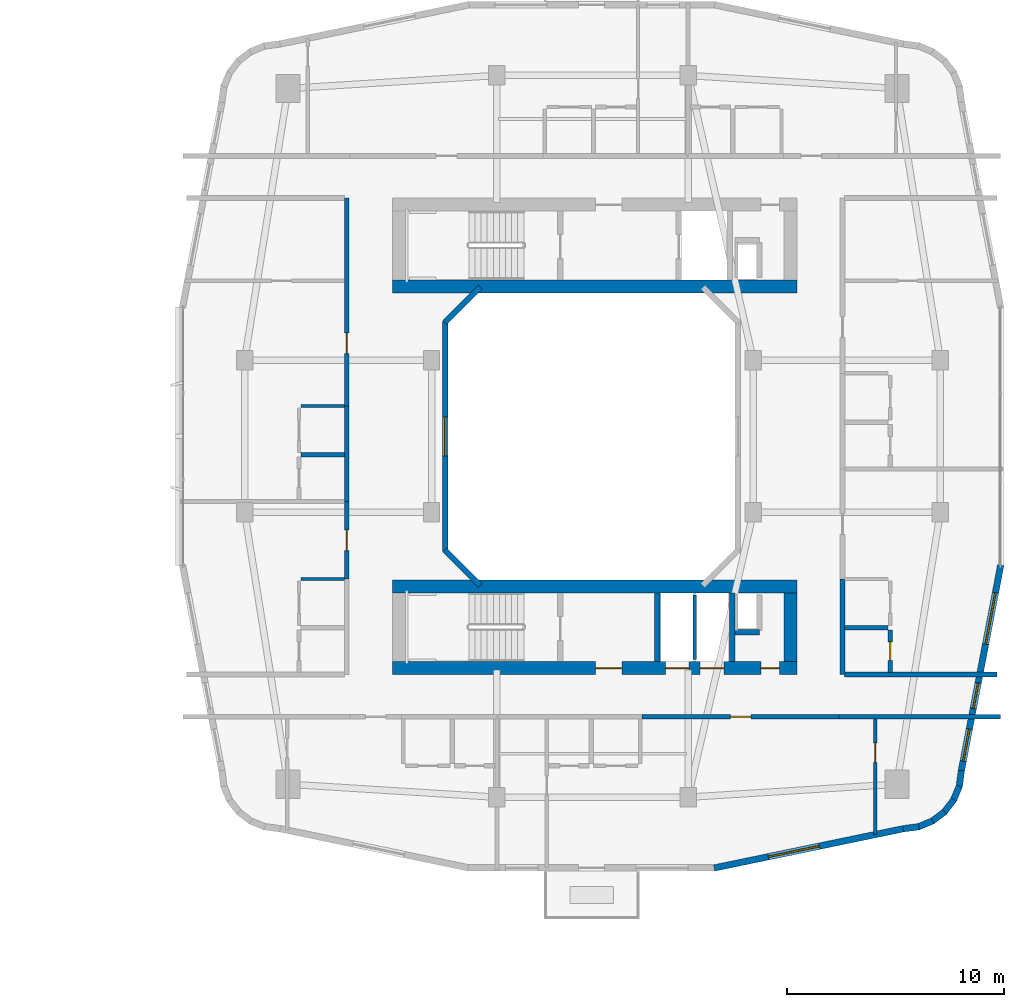
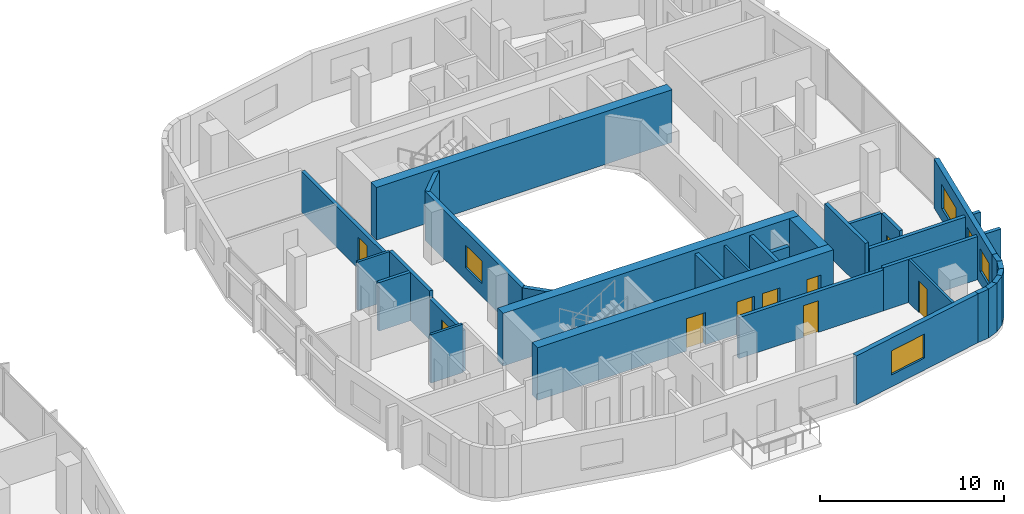
# One storey, part 14 of 22: 32 walls, 9 doors, 5 windows, 14 openings.
"""IFC4 building model written with IfcOpenShell, lengths in metres."""

from ifc_helpers import new_model, si_unit, derived_unit, direction, frame, frame_2d, origin, place, context, subcontext, project, spatial, rectangle, extrude, material, layer, layer_set, type_object, element, fill, save


model = new_model("IFC4")

# Units and contexts
model_context = context("Model", 3, precision=1e-05, world=origin(), true_north=direction((0.0, 1.0)))
body_context = subcontext(model_context, "Body", "Model", "MODEL_VIEW")
ifc_project = project(units=[si_unit("LENGTHUNIT", "METRE"), si_unit("AREAUNIT", "SQUARE_METRE"), si_unit("VOLUMEUNIT", "CUBIC_METRE"), si_unit("PLANEANGLEUNIT", "RADIAN"), si_unit("MASSUNIT", "GRAM", prefix="KILO"), derived_unit("THERMALTRANSMITTANCEUNIT", [(si_unit("POWERUNIT", "WATT"), 1), (si_unit("LENGTHUNIT", "METRE"), -2), (si_unit("THERMODYNAMICTEMPERATUREUNIT", "KELVIN"), -1)])], contexts=[model_context])

# Site, building, storey
site_placement = place(None, origin())
site = spatial("IfcSite", under=ifc_project, at=site_placement, CompositionType="ELEMENT")
building_placement = place(site_placement, origin())
building = spatial("IfcBuilding", under=site, at=building_placement, Name="Kivonza Crest Hotel", CompositionType="ELEMENT")
storey_placement = place(building_placement, frame((0.0, 0.0, 48.5)))
storey = spatial("IfcBuildingStorey", under=building, at=storey_placement, Name="L12", CompositionType="ELEMENT", Elevation=48.5)

# Wall
ifc_material_1 = material(Name="Autoclaved aerated concrete blockwork", Category="masonry")
ifc_layer_1 = layer(ifc_material_1, 0.219970703125)
ifc_layer_set_1 = layer_set([ifc_layer_1], Name="Autoclaved aerated concrete blockwork")
wall_type_1 = type_object("IfcWallType", Name="WL-ACOU-220", PredefinedType="SOLIDWALL", material=ifc_layer_set_1)
wall_1_placement = place(storey_placement, frame((88.35009765625, 12.10009765625, 0.0), z_axis=(0.0, 0.0, 1.0), x_axis=(1.0, 0.0, 0.0)))
element("IfcWall", 1, at=wall_1_placement, inside=storey, type_object=wall_type_1, Name="L12 interior partition WA-L12-A04-RCORR", PredefinedType="SOLIDWALL", context=body_context, shape_type="SweptSolid", body=[
    extrude(rectangle(XDim=7.409912109375, YDim=0.219970703125, at=frame_2d((3.705078125, 0.0))), origin(), (0.0, 0.0, 1.0), 2.864990234375),
])

# Wall, opening, door
wall_2_placement = place(storey_placement, frame((79.280029296875, 12.10009765625, 0.0), z_axis=(0.0, 0.0, 1.0), x_axis=(1.0, 0.0, 0.0)))
wall_2 = element("IfcWall", 2, at=wall_2_placement, inside=storey, type_object=wall_type_1, Name="L12 interior partition WA-L12-A04-MCORR", PredefinedType="SOLIDWALL", context=body_context, shape_type="SweptSolid", body=[
    extrude(rectangle(XDim=9.070068359375, YDim=0.219970703125, at=frame_2d((4.53515625, 0.0))), origin(), (0.0, 0.0, 1.0), 2.72509765625),
])
opening_1_placement = place(wall_2_placement, frame((4.06005859375, 0.0, 0.0)))
opening_1 = element("IfcOpeningElement", 3, at=opening_1_placement, cuts=wall_2, Name="Opening DU-60", PredefinedType="OPENING", context=body_context, shape_type="SweptSolid", body=[
    extrude(rectangle(XDim=0.949951171875, YDim=2.10009765625, at=frame_2d((0.47509765625, 1.050048828125))), frame((0.0, 0.1201171875, 0.0), z_axis=(0.0, -1.0, 0.0), x_axis=(1.0, 0.0, 0.0)), (0.0, 0.0, 1.0), 0.239990234375),
])
ifc_material_2 = material(Name="Hardwood timber oak", Category="wood")
door_type_1 = type_object("IfcDoorType", Name="DR-UNIT-950", OperationType="NOTDEFINED", PredefinedType="DOOR", material=ifc_material_2)
door_1_placement = place(opening_1_placement, frame((0.949951171875, 0.0, 0.0), z_axis=(0.0, 0.0, 1.0), x_axis=(-1.0, 0.0, 0.0)))
door_1 = element("IfcDoor", 4, at=door_1_placement, inside=storey, type_object=door_type_1, Name="L12 A04 apartment entrance fire door", OperationType="SINGLE_SWING_RIGHT", OverallHeight=2.10009765625, OverallWidth=0.949951171875, PredefinedType="DOOR", context=body_context, shape_type="SweptSolid", body=[
    extrude(rectangle(XDim=0.949951171875, YDim=2.10009765625, at=frame_2d((0.47509765625, 1.050048828125))), frame((0.0, 0.02490234375, 0.0), z_axis=(0.0, -1.0, 0.0), x_axis=(1.0, 0.0, 0.0)), (0.0, 0.0, 1.0), 0.050048828125),
])
fill(opening_1, door_1)

wall_3_placement = place(storey_placement, frame((65.699951171875, 18.43994140625, 0.0), z_axis=(0.0, 0.0, 1.0), x_axis=(0.0, 1.0, 0.0)))
wall_3 = element("IfcWall", 5, at=wall_3_placement, inside=storey, type_object=wall_type_1, Name="L12 interior partition WA-L12-A05-MCORR", PredefinedType="SOLIDWALL", context=body_context, shape_type="SweptSolid", body=[
    extrude(rectangle(XDim=3.56005859375, YDim=0.219970703125, at=frame_2d((1.780029296875, 0.0))), origin(), (0.0, 0.0, 1.0), 2.72509765625),
])
opening_2_placement = place(wall_3_placement, frame((1.304931640625, 0.0, 0.0)))
opening_2 = element("IfcOpeningElement", 6, at=opening_2_placement, cuts=wall_3, Name="Opening DU-60", PredefinedType="OPENING", context=body_context, shape_type="SweptSolid", body=[
    extrude(rectangle(XDim=0.949951171875, YDim=2.10009765625, at=frame_2d((0.47509765625, 1.050048828125))), frame((0.0, 0.1201171875, 0.0), z_axis=(0.0, -1.0, 0.0), x_axis=(1.0, 0.0, 0.0)), (0.0, 0.0, 1.0), 0.239990234375),
])
door_2_placement = place(opening_2_placement, origin())
door_2 = element("IfcDoor", 7, at=door_2_placement, inside=storey, type_object=door_type_1, Name="L12 A05 apartment entrance fire door", OperationType="SINGLE_SWING_LEFT", OverallHeight=2.10009765625, OverallWidth=0.949951171875, PredefinedType="DOOR", context=body_context, shape_type="SweptSolid", body=[
    extrude(rectangle(XDim=0.949951171875, YDim=2.10009765625, at=frame_2d((0.47509765625, 1.050048828125))), frame((0.0, 0.02490234375, 0.0), z_axis=(0.0, -1.0, 0.0), x_axis=(1.0, 0.0, 0.0)), (0.0, 0.0, 1.0), 0.050048828125),
])
fill(opening_2, door_2)

# Wall
wall_4_placement = place(storey_placement, frame((65.699951171875, 22.0, 0.0), z_axis=(0.0, 0.0, 1.0), x_axis=(0.0, 1.0, 0.0)))
element("IfcWall", 8, at=wall_4_placement, inside=storey, type_object=wall_type_1, Name="L12 interior partition WA-L12-A06-BCORR", PredefinedType="SOLIDWALL", context=body_context, shape_type="SweptSolid", body=[
    extrude(rectangle(XDim=4.39990234375, YDim=0.219970703125, at=frame_2d((2.199951171875, 0.0))), origin(), (0.0, 0.0, 1.0), 3.219970703125),
])

# Wall, opening, door
wall_5_placement = place(storey_placement, frame((65.699951171875, 26.39990234375, 0.0), z_axis=(0.0, 0.0, 1.0), x_axis=(0.0, 1.0, 0.0)))
wall_5 = element("IfcWall", 9, at=wall_5_placement, inside=storey, type_object=wall_type_1, Name="L12 interior partition WA-L12-A06-MCORR", PredefinedType="SOLIDWALL", context=body_context, shape_type="SweptSolid", body=[
    extrude(rectangle(XDim=9.56005859375, YDim=0.219970703125, at=frame_2d((4.780029296875, 0.0))), origin(), (0.0, 0.0, 1.0), 2.72509765625),
])
opening_3_placement = place(wall_5_placement, frame((2.405029296875, 0.0, 0.0)))
opening_3 = element("IfcOpeningElement", 10, at=opening_3_placement, cuts=wall_5, Name="Opening DU-60", PredefinedType="OPENING", context=body_context, shape_type="SweptSolid", body=[
    extrude(rectangle(XDim=0.949951171875, YDim=2.10009765625, at=frame_2d((0.47509765625, 1.050048828125))), frame((0.0, 0.1201171875, 0.0), z_axis=(0.0, -1.0, 0.0), x_axis=(1.0, 0.0, 0.0)), (0.0, 0.0, 1.0), 0.239990234375),
])
door_3_placement = place(opening_3_placement, origin())
door_3 = element("IfcDoor", 11, at=door_3_placement, inside=storey, type_object=door_type_1, Name="L12 A06 apartment entrance fire door", OperationType="SINGLE_SWING_RIGHT", OverallHeight=2.10009765625, OverallWidth=0.949951171875, PredefinedType="DOOR", context=body_context, shape_type="SweptSolid", body=[
    extrude(rectangle(XDim=0.949951171875, YDim=2.10009765625, at=frame_2d((0.47509765625, 1.050048828125))), frame((0.0, 0.02490234375, 0.0), z_axis=(0.0, -1.0, 0.0), x_axis=(1.0, 0.0, 0.0)), (0.0, 0.0, 1.0), 0.050048828125),
])
fill(opening_3, door_3)

# Walls
wall_6_placement = place(storey_placement, frame((88.60009765625, 14.0400390625, 0.0), z_axis=(0.0, 0.0, 1.0), x_axis=(1.0, 0.0, 0.0)))
element("IfcWall", 12, at=wall_6_placement, inside=storey, type_object=wall_type_1, Name="L12 interior partition WA-L12-T2E-ENDS", PredefinedType="SOLIDWALL", context=body_context, shape_type="SweptSolid", body=[
    extrude(rectangle(XDim=7.0, YDim=0.219970703125, at=frame_2d((3.5, 0.0))), origin(), (0.0, 0.0, 1.0), 2.864990234375),
])
wall_7_placement = place(storey_placement, frame((88.5, 14.0400390625, 0.0), z_axis=(0.0, 0.0, 1.0), x_axis=(0.0, 1.0, 0.0)))
element("IfcWall", 13, at=wall_7_placement, inside=storey, type_object=wall_type_1, Name="L12 interior partition WA-L12-A07-BCORR", PredefinedType="SOLIDWALL", context=body_context, shape_type="SweptSolid", body=[
    extrude(rectangle(XDim=4.39990234375, YDim=0.219970703125, at=frame_2d((2.199951171875, 0.0))), origin(), (0.0, 0.0, 1.0), 3.219970703125),
])
ifc_material_3 = material(Name="Concrete C60/75", Category="concrete")
ifc_layer_2 = layer(ifc_material_3, 0.60009765625)
ifc_layer_set_2 = layer_set([ifc_layer_2], Name="Concrete C60/75")
wall_type_2 = type_object("IfcWallType", Name="WL-CORE-600", PredefinedType="SHEAR", material=ifc_layer_set_2)
wall_8_placement = place(storey_placement, frame((67.800048828125, 31.89990234375, 0.0), z_axis=(0.0, 0.0, 1.0), x_axis=(1.0, 0.0, 0.0)))
element("IfcWall", 14, at=wall_8_placement, inside=storey, type_object=wall_type_2, Name="Core wall T2-N South L12", PredefinedType="SHEAR", context=body_context, shape_type="SweptSolid", body=[
    extrude(rectangle(XDim=18.599853515625, YDim=0.60009765625, at=frame_2d((9.2998046875, 0.0))), origin(), (0.0, 0.0, 1.0), 3.5),
])

# Wall, openings, doors
wall_9_placement = place(storey_placement, frame((67.800048828125, 14.340087890625, 0.0), z_axis=(0.0, 0.0, 1.0), x_axis=(1.0, 0.0, 0.0)))
wall_9 = element("IfcWall", 15, at=wall_9_placement, inside=storey, type_object=wall_type_2, Name="Core wall T2-S South L12", PredefinedType="SHEAR", context=body_context, shape_type="SweptSolid", body=[
    extrude(rectangle(XDim=18.599853515625, YDim=0.60009765625, at=frame_2d((9.2998046875, 0.0))), origin(), (0.0, 0.0, 1.0), 3.5),
])
opening_4_placement = place(wall_9_placement, frame((9.35009765625, 0.0, 0.0)))
opening_4 = element("IfcOpeningElement", 16, at=opening_4_placement, cuts=wall_9, Name="Opening DF-60", PredefinedType="OPENING", context=body_context, shape_type="SweptSolid", body=[
    extrude(rectangle(XDim=1.199951171875, YDim=2.14990234375, at=frame_2d((0.60009765625, 1.074951171875))), frame((0.0, 0.31005859375, 0.0), z_axis=(0.0, -1.0, 0.0), x_axis=(1.0, 0.0, 0.0)), (0.0, 0.0, 1.0), 0.6201171875),
])
opening_5_placement = place(wall_9_placement, frame((16.949951171875, 0.0, 0.0)))
opening_5 = element("IfcOpeningElement", 17, at=opening_5_placement, cuts=wall_9, Name="Opening DF-60R", PredefinedType="OPENING", context=body_context, shape_type="SweptSolid", body=[
    extrude(rectangle(XDim=0.85009765625, YDim=2.10009765625, at=frame_2d((0.425048828125, 1.050048828125))), frame((0.0, 0.31005859375, 0.0), z_axis=(0.0, -1.0, 0.0), x_axis=(1.0, 0.0, 0.0)), (0.0, 0.0, 1.0), 0.6201171875),
])
opening_6_placement = place(wall_9_placement, frame((12.550048828125, 0.0, 0.0)))
opening_6 = element("IfcOpeningElement", 18, at=opening_6_placement, cuts=wall_9, Name="Opening LD-120", PredefinedType="OPENING", context=body_context, shape_type="SweptSolid", body=[
    extrude(rectangle(XDim=1.10009765625, YDim=2.14990234375, at=frame_2d((0.550048828125, 1.074951171875))), frame((0.0, 0.31005859375, 0.0), z_axis=(0.0, -1.0, 0.0), x_axis=(1.0, 0.0, 0.0)), (0.0, 0.0, 1.0), 0.6201171875),
])
opening_7_placement = place(wall_9_placement, frame((14.14990234375, 0.0, 0.0)))
opening_7 = element("IfcOpeningElement", 19, at=opening_7_placement, cuts=wall_9, Name="Opening LD-120", PredefinedType="OPENING", context=body_context, shape_type="SweptSolid", body=[
    extrude(rectangle(XDim=1.10009765625, YDim=2.14990234375, at=frame_2d((0.550048828125, 1.074951171875))), frame((0.0, 0.31005859375, 0.0), z_axis=(0.0, -1.0, 0.0), x_axis=(1.0, 0.0, 0.0)), (0.0, 0.0, 1.0), 0.6201171875),
])
door_type_2 = type_object("IfcDoorType", Name="DR-FD60-1200", OperationType="NOTDEFINED", PredefinedType="DOOR", material=ifc_material_2)
door_4_placement = place(opening_4_placement, frame((1.199951171875, 0.0, 0.0), z_axis=(0.0, 0.0, 1.0), x_axis=(-1.0, 0.0, 0.0)))
door_4 = element("IfcDoor", 20, at=door_4_placement, inside=storey, type_object=door_type_2, Name="L12 T2-S firefighting lobby fire door", OperationType="SINGLE_SWING_LEFT", OverallHeight=2.14990234375, OverallWidth=1.199951171875, PredefinedType="DOOR", context=body_context, shape_type="SweptSolid", body=[
    extrude(rectangle(XDim=1.199951171875, YDim=2.14990234375, at=frame_2d((0.60009765625, 1.074951171875))), frame((0.0, 0.02490234375, 0.0), z_axis=(0.0, -1.0, 0.0), x_axis=(1.0, 0.0, 0.0)), (0.0, 0.0, 1.0), 0.050048828125),
])
fill(opening_4, door_4)
door_type_3 = type_object("IfcDoorType", Name="DR-FD60-850", OperationType="NOTDEFINED", PredefinedType="DOOR", material=ifc_material_2)
door_5_placement = place(opening_5_placement, frame((0.85009765625, 0.0, 0.0), z_axis=(0.0, 0.0, 1.0), x_axis=(-1.0, 0.0, 0.0)))
door_5 = element("IfcDoor", 21, at=door_5_placement, inside=storey, type_object=door_type_3, Name="L12 T2-S core room door", OperationType="SINGLE_SWING_RIGHT", OverallHeight=2.10009765625, OverallWidth=0.85009765625, PredefinedType="DOOR", context=body_context, shape_type="SweptSolid", body=[
    extrude(rectangle(XDim=0.85009765625, YDim=2.10009765625, at=frame_2d((0.425048828125, 1.050048828125))), frame((0.0, 0.02490234375, 0.0), z_axis=(0.0, -1.0, 0.0), x_axis=(1.0, 0.0, 0.0)), (0.0, 0.0, 1.0), 0.050048828125),
])
fill(opening_5, door_5)
ifc_material_4 = material(Name="Stainless steel", Category="steel")
door_type_4 = type_object("IfcDoorType", Name="DR-LD120-1100", OperationType="NOTDEFINED", PredefinedType="DOOR", material=ifc_material_4)
door_6_placement = place(opening_6_placement, frame((1.10009765625, 0.0, 0.0), z_axis=(0.0, 0.0, 1.0), x_axis=(-1.0, 0.0, 0.0)))
door_6 = element("IfcDoor", 22, at=door_6_placement, inside=storey, type_object=door_type_4, Name="L12 PL-T2-1 passenger lift sliding landing door", OperationType="DOUBLE_DOOR_SLIDING", OverallHeight=2.14990234375, OverallWidth=1.10009765625, PredefinedType="DOOR", context=body_context, shape_type="SweptSolid", body=[
    extrude(rectangle(XDim=1.10009765625, YDim=2.14990234375, at=frame_2d((0.550048828125, 1.074951171875))), frame((0.0, 0.02490234375, 0.0), z_axis=(0.0, -1.0, 0.0), x_axis=(1.0, 0.0, 0.0)), (0.0, 0.0, 1.0), 0.050048828125),
])
fill(opening_6, door_6)
door_7_placement = place(opening_7_placement, frame((1.10009765625, 0.0, 0.0), z_axis=(0.0, 0.0, 1.0), x_axis=(-1.0, 0.0, 0.0)))
door_7 = element("IfcDoor", 23, at=door_7_placement, inside=storey, type_object=door_type_4, Name="L12 PL-T2-2 passenger lift sliding landing door", OperationType="DOUBLE_DOOR_SLIDING", OverallHeight=2.14990234375, OverallWidth=1.10009765625, PredefinedType="DOOR", context=body_context, shape_type="SweptSolid", body=[
    extrude(rectangle(XDim=1.10009765625, YDim=2.14990234375, at=frame_2d((0.550048828125, 1.074951171875))), frame((0.0, 0.02490234375, 0.0), z_axis=(0.0, -1.0, 0.0), x_axis=(1.0, 0.0, 0.0)), (0.0, 0.0, 1.0), 0.050048828125),
])
fill(opening_7, door_7)

# Walls
wall_10_placement = place(storey_placement, frame((67.800048828125, 18.10009765625, 0.0), z_axis=(0.0, 0.0, 1.0), x_axis=(1.0, 0.0, 0.0)))
element("IfcWall", 24, at=wall_10_placement, inside=storey, type_object=wall_type_2, Name="Core wall T2-S North L12", PredefinedType="SHEAR", context=body_context, shape_type="SweptSolid", body=[
    extrude(rectangle(XDim=18.599853515625, YDim=0.60009765625, at=frame_2d((9.2998046875, 0.0))), origin(), (0.0, 0.0, 1.0), 3.5),
])
wall_11_placement = place(storey_placement, frame((86.10009765625, 14.639892578125, 0.0), z_axis=(0.0, 0.0, 1.0), x_axis=(0.0, 1.0, 0.0)))
element("IfcWall", 25, at=wall_11_placement, inside=storey, type_object=wall_type_2, Name="Core wall T2-S East L12", PredefinedType="SHEAR", context=body_context, shape_type="SweptSolid", body=[
    extrude(rectangle(XDim=3.16015625, YDim=0.60009765625, at=frame_2d((1.580078125, 0.0))), origin(), (0.0, 0.0, 1.0), 3.5),
])
ifc_material_5 = material(Name="Precast concrete C40/50", Category="concrete")
ifc_layer_3 = layer(ifc_material_5, 0.260009765625)
ifc_layer_set_3 = layer_set([ifc_layer_3], Name="Precast concrete C40/50")
wall_type_3 = type_object("IfcWallType", Name="WL-EXT-260", PredefinedType="STANDARD", material=ifc_layer_set_3)
wall_12_placement = place(storey_placement, frame((71.837890625, 31.862060546875, 0.0), z_axis=(0.0, 0.0, 1.0), x_axis=(-0.707053950914, -0.707159607512, 0.0)))
element("IfcWall", 26, at=wall_12_placement, inside=storey, type_object=wall_type_3, Name="L12 T2 light-well exterior wall 6", PredefinedType="STANDARD", context=body_context, shape_type="SweptSolid", body=[
    extrude(rectangle(XDim=2.310791015625, YDim=0.260009765625, at=frame_2d((1.1552734375, 0.0))), origin(), (0.0, 0.0, 1.0), 3.25),
])

# Wall, opening, window
wall_13_placement = place(storey_placement, frame((70.22998046875, 30.2900390625, 0.0), z_axis=(0.0, 0.0, 1.0), x_axis=(0.0, -1.0, 0.0)))
wall_13 = element("IfcWall", 27, at=wall_13_placement, inside=storey, type_object=wall_type_3, Name="L12 T2 light-well exterior wall 7", PredefinedType="STANDARD", context=body_context, shape_type="SweptSolid", body=[
    extrude(rectangle(XDim=10.580078125, YDim=0.260009765625, at=frame_2d((5.2900390625, 0.0))), origin(), (0.0, 0.0, 1.0), 3.25),
])
opening_8_placement = place(wall_13_placement, frame((4.389892578125, 0.0, 0.85009765625)))
opening_8 = element("IfcOpeningElement", 28, at=opening_8_placement, cuts=wall_13, Name="Opening WN-03", PredefinedType="OPENING", context=body_context, shape_type="SweptSolid", body=[
    extrude(rectangle(XDim=1.800048828125, YDim=1.5, at=frame_2d((0.89990234375, 0.75))), frame((0.0, 0.14013671875, 0.0), z_axis=(0.0, -1.0, 0.0), x_axis=(1.0, 0.0, 0.0)), (0.0, 0.0, 1.0), 0.280029296875),
])
ifc_material_6 = material(Name="Thermally broken bronze aluminium and low-E double glazing", Category="aluminium")
window_type_1 = type_object("IfcWindowType", Name="WN-180x150", PartitioningType="DOUBLE_PANEL_VERTICAL", PredefinedType="WINDOW", material=ifc_material_6)
window_1_placement = place(opening_8_placement, origin())
window_1 = element("IfcWindow", 29, at=window_1_placement, inside=storey, type_object=window_type_1, Name="L12 T2 light-well window 7", OverallHeight=1.5, OverallWidth=1.800048828125, PartitioningType="SINGLE_PANEL", PredefinedType="WINDOW", context=body_context, shape_type="SweptSolid", body=[
    extrude(rectangle(XDim=1.800048828125, YDim=1.5, at=frame_2d((0.89990234375, 0.75))), frame((0.0, 0.030029296875, 0.0), z_axis=(0.0, -1.0, 0.0), x_axis=(1.0, 0.0, 0.0)), (0.0, 0.0, 1.0), 0.06005859375),
])
fill(opening_8, window_1)

# Wall
wall_14_placement = place(storey_placement, frame((70.2041015625, 19.77197265625, 0.0), z_axis=(0.0, 0.0, 1.0), x_axis=(0.707053950914, -0.707159607512, 0.0)))
element("IfcWall", 30, at=wall_14_placement, inside=storey, type_object=wall_type_3, Name="L12 T2 light-well exterior wall 8", PredefinedType="STANDARD", context=body_context, shape_type="SweptSolid", body=[
    extrude(rectangle(XDim=2.310791015625, YDim=0.260009765625, at=frame_2d((1.1552734375, 0.0))), origin(), (0.0, 0.0, 1.0), 3.25),
])

# Wall, opening, window
ifc_layer_4 = layer(ifc_material_5, 0.300048828125)
ifc_layer_set_4 = layer_set([ifc_layer_4], Name="Precast concrete C40/50")
wall_type_4 = type_object("IfcWallType", Name="WL-EXT-300", PredefinedType="STANDARD", material=ifc_layer_set_4)
wall_15_placement = place(storey_placement, frame((82.593994140625, 5.14208984375, 0.0), z_axis=(0.0, 0.0, 1.0), x_axis=(0.979125485139, 0.203256695712, 0.0)))
wall_15 = element("IfcWall", 31, at=wall_15_placement, inside=storey, type_object=wall_type_4, Name="L12 T2 exterior insulated wall 9", PredefinedType="STANDARD", context=body_context, shape_type="SweptSolid", body=[
    extrude(rectangle(XDim=8.8896484375, YDim=0.300048828125, at=frame_2d((4.44482421875, 0.0))), origin(), (0.0, 0.0, 1.0), 3.25),
])
opening_9_placement = place(wall_15_placement, frame((2.548095703125, 0.0, 0.800048828125)))
opening_9 = element("IfcOpeningElement", 32, at=opening_9_placement, cuts=wall_15, Name="Opening WN-05", PredefinedType="OPENING", context=body_context, shape_type="SweptSolid", body=[
    extrude(rectangle(XDim=2.39990234375, YDim=1.60009765625, at=frame_2d((1.199951171875, 0.800048828125))), frame((0.0, 0.16015625, 0.0), z_axis=(0.0, -1.0, 0.0), x_axis=(1.0, 0.0, 0.0)), (0.0, 0.0, 1.0), 0.320068359375),
])
window_type_2 = type_object("IfcWindowType", Name="WN-240x160", PartitioningType="TRIPLE_PANEL_VERTICAL", PredefinedType="WINDOW", material=ifc_material_6)
window_2_placement = place(opening_9_placement, origin())
window_2 = element("IfcWindow", 33, at=window_2_placement, inside=storey, type_object=window_type_2, Name="L12 T2 facade window 9", OverallHeight=1.60009765625, OverallWidth=2.39990234375, PartitioningType="SINGLE_PANEL", PredefinedType="WINDOW", context=body_context, shape_type="SweptSolid", body=[
    extrude(rectangle(XDim=2.39990234375, YDim=1.60009765625, at=frame_2d((1.199951171875, 0.800048828125))), frame((0.0, 0.030029296875, 0.0), z_axis=(0.0, -1.0, 0.0), x_axis=(1.0, 0.0, 0.0)), (0.0, 0.0, 1.0), 0.06005859375),
])
fill(opening_9, window_2)

# Walls
wall_16_placement = place(storey_placement, frame((91.29296875, 6.947998046875, 0.0), z_axis=(0.0, 0.0, 1.0), x_axis=(0.991486167159, 0.13021205909, 0.0)))
element("IfcWall", 34, at=wall_16_placement, inside=storey, type_object=wall_type_4, Name="L12 T2 exterior insulated wall 10", PredefinedType="STANDARD", context=body_context, shape_type="SweptSolid", body=[
    extrude(rectangle(XDim=0.729248046875, YDim=0.300048828125, at=frame_2d((0.36474609375, 0.0))), origin(), (0.0, 0.0, 1.0), 3.25),
])
for number, where, z_axis, x_axis, name in (
    (35, (91.965087890625, 7.02392578125, 0.0), (0.0, 0.0, 1.0), (0.923521684703, 0.383546213491, 0.0), "L12 T2 exterior insulated wall 11"),
    (36, (92.60888671875, 7.279052734375, 0.0), (0.0, 0.0, 1.0), (0.79363269798, 0.608397189915, 0.0), "L12 T2 exterior insulated wall 12"),
    (37, (93.166015625, 7.69091796875, 0.0), (0.0, 0.0, 1.0), (0.608603261071, 0.793474681772, 0.0), "L12 T2 exterior insulated wall 13"),
):
    element("IfcWall", number, at=place(storey_placement, frame(where, z_axis=z_axis, x_axis=x_axis)), inside=storey, type_object=wall_type_4, Name=name, PredefinedType="STANDARD", context=body_context, shape_type="SweptSolid", body=[
        extrude(rectangle(XDim=0.74609375, YDim=0.300048828125, at=frame_2d((0.373046875, 0.0))), origin(), (0.0, 0.0, 1.0), 3.25),
    ])
wall_17_placement = place(storey_placement, frame((93.595947265625, 8.23388671875, 0.0), z_axis=(0.0, 0.0, 1.0), x_axis=(0.383430326427, 0.923569805037, 0.0)))
element("IfcWall", 38, at=wall_17_placement, inside=storey, type_object=wall_type_4, Name="L12 T2 exterior insulated wall 14", PredefinedType="STANDARD", context=body_context, shape_type="SweptSolid", body=[
    extrude(rectangle(XDim=0.746337890625, YDim=0.300048828125, at=frame_2d((0.373046875, 0.0))), origin(), (0.0, 0.0, 1.0), 3.25),
])
wall_18_placement = place(storey_placement, frame((93.873046875, 8.868896484375, 0.0), z_axis=(0.0, 0.0, 1.0), x_axis=(0.129339184068, 0.991600411186, 0.0)))
element("IfcWall", 39, at=wall_18_placement, inside=storey, type_object=wall_type_4, Name="L12 T2 exterior insulated wall 15", PredefinedType="STANDARD", context=body_context, shape_type="SweptSolid", body=[
    extrude(rectangle(XDim=0.764404296875, YDim=0.300048828125, at=frame_2d((0.38232421875, 0.0))), origin(), (0.0, 0.0, 1.0), 3.25),
])

# Wall, openings, windows
wall_19_placement = place(storey_placement, frame((93.970947265625, 9.6201171875, 0.0), z_axis=(0.0, 0.0, 1.0), x_axis=(0.188087874316, 0.982152203854, 0.0)))
wall_19 = element("IfcWall", 40, at=wall_19_placement, inside=storey, type_object=wall_type_4, Name="L12 T2 exterior insulated wall 16", PredefinedType="STANDARD", context=body_context, shape_type="SweptSolid", body=[
    extrude(rectangle(XDim=9.6337890625, YDim=0.300048828125, at=frame_2d((4.81689453125, 0.0))), origin(), (0.0, 0.0, 1.0), 3.25),
])
opening_10_placement = place(wall_19_placement, frame((0.451904296875, 0.0, 0.85009765625)))
opening_10 = element("IfcOpeningElement", 41, at=opening_10_placement, cuts=wall_19, Name="Opening WN-02", PredefinedType="OPENING", context=body_context, shape_type="SweptSolid", body=[
    extrude(rectangle(XDim=1.5, YDim=1.5, at=frame_2d((0.75, 0.75))), frame((0.0, 0.16015625, 0.0), z_axis=(0.0, -1.0, 0.0), x_axis=(1.0, 0.0, 0.0)), (0.0, 0.0, 1.0), 0.320068359375),
])
opening_11_placement = place(wall_19_placement, frame((2.9130859375, 0.0, 0.85009765625)))
opening_11 = element("IfcOpeningElement", 42, at=opening_11_placement, cuts=wall_19, Name="Opening WN-01", PredefinedType="OPENING", context=body_context, shape_type="SweptSolid", body=[
    extrude(rectangle(XDim=1.199951171875, YDim=1.5, at=frame_2d((0.60009765625, 0.75))), frame((0.0, 0.16015625, 0.0), z_axis=(0.0, -1.0, 0.0), x_axis=(1.0, 0.0, 0.0)), (0.0, 0.0, 1.0), 0.320068359375),
])
opening_12_placement = place(wall_19_placement, frame((5.927978515625, 0.0, 0.800048828125)))
opening_12 = element("IfcOpeningElement", 43, at=opening_12_placement, cuts=wall_19, Name="Opening WN-05", PredefinedType="OPENING", context=body_context, shape_type="SweptSolid", body=[
    extrude(rectangle(XDim=2.39990234375, YDim=1.60009765625, at=frame_2d((1.199951171875, 0.800048828125))), frame((0.0, 0.16015625, 0.0), z_axis=(0.0, -1.0, 0.0), x_axis=(1.0, 0.0, 0.0)), (0.0, 0.0, 1.0), 0.320068359375),
])
window_type_3 = type_object("IfcWindowType", Name="WN-120x150", PartitioningType="SINGLE_PANEL", PredefinedType="WINDOW", material=ifc_material_6)
window_3_placement = place(opening_11_placement, origin())
window_3 = element("IfcWindow", 44, at=window_3_placement, inside=storey, type_object=window_type_3, Name="L12 T2 facade window 16 bay 2", OverallHeight=1.5, OverallWidth=1.199951171875, PartitioningType="SINGLE_PANEL", PredefinedType="WINDOW", context=body_context, shape_type="SweptSolid", body=[
    extrude(rectangle(XDim=1.199951171875, YDim=1.5, at=frame_2d((0.60009765625, 0.75))), frame((0.0, 0.030029296875, 0.0), z_axis=(0.0, -1.0, 0.0), x_axis=(1.0, 0.0, 0.0)), (0.0, 0.0, 1.0), 0.06005859375),
])
fill(opening_11, window_3)
window_type_4 = type_object("IfcWindowType", Name="WN-150x150", PartitioningType="DOUBLE_PANEL_VERTICAL", PredefinedType="WINDOW", material=ifc_material_6)
window_4_placement = place(opening_10_placement, origin())
window_4 = element("IfcWindow", 45, at=window_4_placement, inside=storey, type_object=window_type_4, Name="L12 T2 facade window 16 bay 1", OverallHeight=1.5, OverallWidth=1.5, PartitioningType="SINGLE_PANEL", PredefinedType="WINDOW", context=body_context, shape_type="SweptSolid", body=[
    extrude(rectangle(XDim=1.5, YDim=1.5, at=frame_2d((0.75, 0.75))), frame((0.0, 0.030029296875, 0.0), z_axis=(0.0, -1.0, 0.0), x_axis=(1.0, 0.0, 0.0)), (0.0, 0.0, 1.0), 0.06005859375),
])
fill(opening_10, window_4)
window_5_placement = place(opening_12_placement, origin())
window_5 = element("IfcWindow", 46, at=window_5_placement, inside=storey, type_object=window_type_2, Name="L12 T2 facade window 16 bay 3", OverallHeight=1.60009765625, OverallWidth=2.39990234375, PartitioningType="SINGLE_PANEL", PredefinedType="WINDOW", context=body_context, shape_type="SweptSolid", body=[
    extrude(rectangle(XDim=2.39990234375, YDim=1.60009765625, at=frame_2d((1.199951171875, 0.800048828125))), frame((0.0, 0.030029296875, 0.0), z_axis=(0.0, -1.0, 0.0), x_axis=(1.0, 0.0, 0.0)), (0.0, 0.0, 1.0), 0.06005859375),
])
fill(opening_12, window_5)

# Walls
ifc_material_7 = material(Name="Concrete blockwork fire-compartment wall", Category="masonry")
ifc_layer_5 = layer(ifc_material_7, 0.25)
ifc_layer_set_5 = layer_set([ifc_layer_5], Name="Concrete blockwork fire-compartment wall")
wall_type_5 = type_object("IfcWallType", Name="WL-FIRE-250", PredefinedType="SOLIDWALL", material=ifc_layer_set_5)
wall_20_placement = place(storey_placement, frame((83.550048828125, 15.97998046875, 0.0), z_axis=(0.0, 0.0, 1.0), x_axis=(1.0, 0.0, 0.0)))
element("IfcWall", 47, at=wall_20_placement, inside=storey, type_object=wall_type_5, Name="L12 interior partition WA-L12-T2-S-MEPR-H", PredefinedType="SOLIDWALL", context=body_context, shape_type="SweptSolid", body=[
    extrude(rectangle(XDim=1.1298828125, YDim=0.25, at=frame_2d((0.56494140625, 0.0))), origin(), (0.0, 0.0, 1.0), 3.219970703125),
])
ifc_material_8 = material(Name="Twin-stud acoustic gypsum board partition", Category="gypsum")
ifc_layer_6 = layer(ifc_material_8, 0.14990234375)
ifc_layer_set_6 = layer_set([ifc_layer_6], Name="Twin-stud acoustic gypsum board partition")
wall_type_6 = type_object("IfcWallType", Name="WL-PART-150", PredefinedType="PARTITIONING", material=ifc_layer_set_6)
wall_21_placement = place(storey_placement, frame((81.699951171875, 14.739990234375, 0.0), z_axis=(0.0, 0.0, 1.0), x_axis=(0.0, 1.0, 0.0)))
element("IfcWall", 48, at=wall_21_placement, inside=storey, type_object=wall_type_6, Name="L12 interior partition WP-L12-T2-S-BSH-1", PredefinedType="PARTITIONING", context=body_context, shape_type="SweptSolid", body=[
    extrude(rectangle(XDim=2.9599609375, YDim=0.14990234375, at=frame_2d((1.47998046875, 0.0))), origin(), (0.0, 0.0, 1.0), 3.219970703125),
])

# Wall, opening, door
wall_22_placement = place(storey_placement, frame((90.010009765625, 6.68896484375, 0.0), z_axis=(0.0, 0.0, 1.0), x_axis=(0.0, 1.0, 0.0)))
wall_22 = element("IfcWall", 49, at=wall_22_placement, inside=storey, type_object=wall_type_6, Name="L12 interior partition WP-L12-A04-BDW2", PredefinedType="PARTITIONING", context=body_context, shape_type="SweptSolid", body=[
    extrude(rectangle(XDim=5.31103515625, YDim=0.14990234375, at=frame_2d((2.655517578125, 0.0))), origin(), (0.0, 0.0, 1.0), 2.864990234375),
])
opening_13_placement = place(wall_22_placement, frame((3.31005859375, 0.0, 0.0)))
opening_13 = element("IfcOpeningElement", 50, at=opening_13_placement, cuts=wall_22, Name="Opening DI-90", PredefinedType="OPENING", context=body_context, shape_type="SweptSolid", body=[
    extrude(rectangle(XDim=0.89990234375, YDim=2.10009765625, at=frame_2d((0.449951171875, 1.050048828125))), frame((0.0, 0.0849609375, 0.0), z_axis=(0.0, -1.0, 0.0), x_axis=(1.0, 0.0, 0.0)), (0.0, 0.0, 1.0), 0.169921875),
])
door_type_5 = type_object("IfcDoorType", Name="DR-INT-900", OperationType="NOTDEFINED", PredefinedType="DOOR", material=ifc_material_2)
door_8_placement = place(opening_13_placement, origin())
door_8 = element("IfcDoor", 51, at=door_8_placement, inside=storey, type_object=door_type_5, Name="L12 A04 bedroom 2 door", OperationType="SINGLE_SWING_RIGHT", OverallHeight=2.10009765625, OverallWidth=0.89990234375, PredefinedType="DOOR", context=body_context, shape_type="SweptSolid", body=[
    extrude(rectangle(XDim=0.89990234375, YDim=2.10009765625, at=frame_2d((0.449951171875, 1.050048828125))), frame((0.0, 0.02490234375, 0.0), z_axis=(0.0, -1.0, 0.0), x_axis=(1.0, 0.0, 0.0)), (0.0, 0.0, 1.0), 0.050048828125),
])
fill(opening_13, door_8)

# Walls
for number, where, z_axis, x_axis, name in (
    (52, (63.60009765625, 18.43994140625, 0.0), (0.0, 0.0, 1.0), (1.0, 0.0, 0.0), "L12 interior partition WP-L12-A05-KF"),
    (53, (63.60009765625, 26.39990234375, 0.0), (0.0, 0.0, 1.0), (1.0, 0.0, 0.0), "L12 interior partition WP-L12-A06-KF"),
):
    element("IfcWall", number, at=place(storey_placement, frame(where, z_axis=z_axis, x_axis=x_axis)), inside=storey, type_object=wall_type_6, Name=name, PredefinedType="PARTITIONING", context=body_context, shape_type="SweptSolid", body=[
        extrude(rectangle(XDim=2.0, YDim=0.14990234375, at=frame_2d((1.0, 0.0))), origin(), (0.0, 0.0, 1.0), 3.219970703125),
    ])
ifc_material_9 = material(Name="Moisture-resistant plumbing chase partition wall", Category="gypsum")
ifc_layer_7 = layer(ifc_material_9, 0.199951171875)
ifc_layer_set_7 = layer_set([ifc_layer_7], Name="Moisture-resistant plumbing chase partition wall")
wall_type_7 = type_object("IfcWallType", Name="WL-PLUMB-200", PredefinedType="PLUMBINGWALL", material=ifc_layer_set_7)
for number, where, z_axis, x_axis, name in (
    (54, (63.60009765625, 24.14990234375, 0.0), (0.0, 0.0, 1.0), (1.0, 0.0, 0.0), "L12 interior partition WW-L12-A06-BK"),
    (55, (88.60009765625, 16.18994140625, 0.0), (0.0, 0.0, 1.0), (1.0, 0.0, 0.0), "L12 interior partition WW-L12-A07-BK"),
):
    element("IfcWall", number, at=place(storey_placement, frame(where, z_axis=z_axis, x_axis=x_axis)), inside=storey, type_object=wall_type_7, Name=name, PredefinedType="PLUMBINGWALL", context=body_context, shape_type="SweptSolid", body=[
        extrude(rectangle(XDim=2.0, YDim=0.199951171875, at=frame_2d((1.0, 0.0))), origin(), (0.0, 0.0, 1.0), 3.219970703125),
    ])

# Wall, opening, door
wall_23_placement = place(storey_placement, frame((90.699951171875, 14.139892578125, 0.0), z_axis=(0.0, 0.0, 1.0), x_axis=(0.0, 1.0, 0.0)))
wall_23 = element("IfcWall", 56, at=wall_23_placement, inside=storey, type_object=wall_type_7, Name="L12 interior partition WW-L12-A07-BSVC", PredefinedType="PLUMBINGWALL", context=body_context, shape_type="SweptSolid", body=[
    extrude(rectangle(XDim=1.9501953125, YDim=0.199951171875, at=frame_2d((0.97509765625, 0.0))), origin(), (0.0, 0.0, 1.0), 3.219970703125),
])
opening_14_placement = place(wall_23_placement, frame((0.550048828125, 0.0, 0.0)))
opening_14 = element("IfcOpeningElement", 57, at=opening_14_placement, cuts=wall_23, Name="Opening DI-85", PredefinedType="OPENING", context=body_context, shape_type="SweptSolid", body=[
    extrude(rectangle(XDim=0.85009765625, YDim=2.10009765625, at=frame_2d((0.425048828125, 1.050048828125))), frame((0.0, 0.10986328125, 0.0), z_axis=(0.0, -1.0, 0.0), x_axis=(1.0, 0.0, 0.0)), (0.0, 0.0, 1.0), 0.219970703125),
])
door_type_6 = type_object("IfcDoorType", Name="DR-INT-850", OperationType="NOTDEFINED", PredefinedType="DOOR", material=ifc_material_2)
door_9_placement = place(opening_14_placement, frame((0.85009765625, 0.0, 0.0), z_axis=(0.0, 0.0, 1.0), x_axis=(-1.0, 0.0, 0.0)))
door_9 = element("IfcDoor", 58, at=door_9_placement, inside=storey, type_object=door_type_6, Name="L12 A07 apartment bathroom door", OperationType="SINGLE_SWING_RIGHT", OverallHeight=2.10009765625, OverallWidth=0.85009765625, PredefinedType="DOOR", context=body_context, shape_type="SweptSolid", body=[
    extrude(rectangle(XDim=0.85009765625, YDim=2.10009765625, at=frame_2d((0.425048828125, 1.050048828125))), frame((0.0, 0.02490234375, 0.0), z_axis=(0.0, -1.0, 0.0), x_axis=(1.0, 0.0, 0.0)), (0.0, 0.0, 1.0), 0.050048828125),
])
fill(opening_14, door_9)

# Walls
ifc_material_10 = material(Name="Concrete C50/60", Category="concrete")
ifc_layer_8 = layer(ifc_material_10, 0.25)
ifc_layer_set_8 = layer_set([ifc_layer_8], Name="Concrete C50/60")
wall_type_8 = type_object("IfcWallType", Name="WL-SHAFT-250", PredefinedType="STANDARD", material=ifc_layer_set_8)
for number, where, z_axis, x_axis, name in (
    (59, (79.97509765625, 14.639892578125, 0.0), (0.0, 0.0, 1.0), (0.0, 1.0, 0.0), "Core shaft wall T2-S BANK-W L12"),
    (60, (83.425048828125, 14.639892578125, 0.0), (0.0, 0.0, 1.0), (0.0, 1.0, 0.0), "Core shaft wall T2-S BANK-E L12"),
):
    element("IfcWall", number, at=place(storey_placement, frame(where, z_axis=z_axis, x_axis=x_axis)), inside=storey, type_object=wall_type_8, Name=name, PredefinedType="STANDARD", context=body_context, shape_type="SweptSolid", body=[
        extrude(rectangle(XDim=3.16015625, YDim=0.25, at=frame_2d((1.580078125, 0.0))), origin(), (0.0, 0.0, 1.0), 3.25),
    ])

save(model, "model.ifc")
